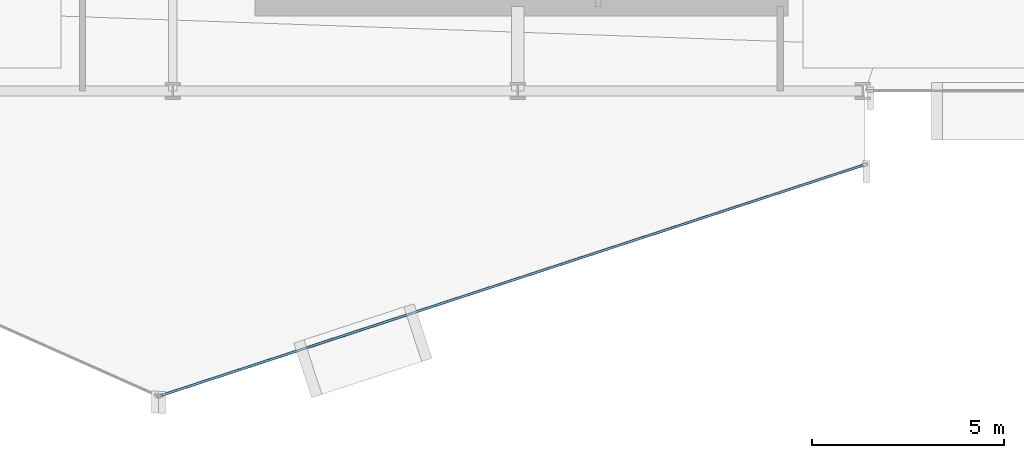
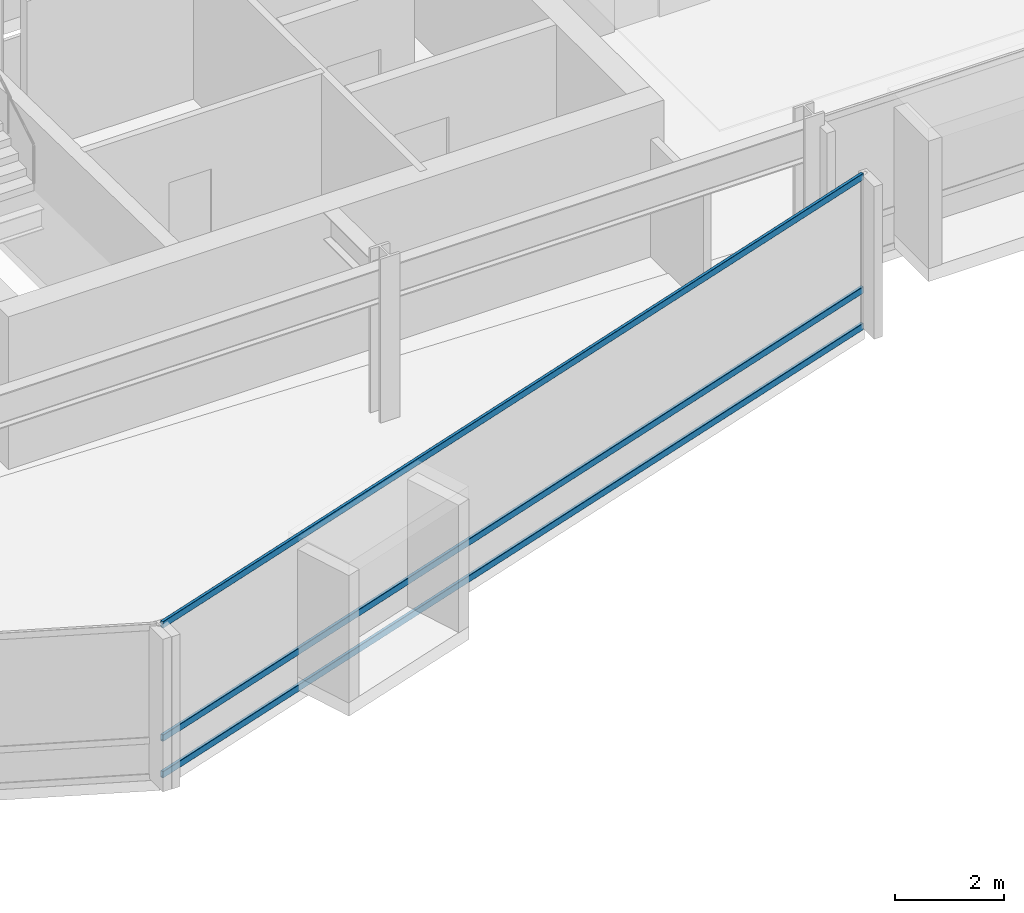
# One storey, part 9 of 28: 3 members, 1 element without a shape of its own.
"""IFC4 building model written with IfcOpenShell, lengths in metres."""

from ifc_helpers import new_model, si_unit, direction, frame, origin, origin_2d, place, context, subcontext, project, spatial, hollow_rectangle, extrude, material, layer, layer_set, material_profile, profile_set, type_object, element, aggregate, save


model = new_model("IFC4")

# Units and contexts
model_context = context("Model", 3, precision=1e-05, world=origin(), true_north=direction((0.0, 1.0)))
body_context = subcontext(model_context, "Body", "Model", "MODEL_VIEW")
ifc_project = project(units=[si_unit("LENGTHUNIT", "METRE"), si_unit("AREAUNIT", "SQUARE_METRE"), si_unit("VOLUMEUNIT", "CUBIC_METRE"), si_unit("PLANEANGLEUNIT", "RADIAN"), si_unit("MASSUNIT", "GRAM", prefix="KILO")], contexts=[model_context])

# Site, building, storey
site_placement = place(None, origin())
site = spatial("IfcSite", under=ifc_project, at=site_placement, CompositionType="ELEMENT")
building_placement = place(site_placement, origin())
building = spatial("IfcBuilding", under=site, at=building_placement, Name="Solvaryn Broadcast Tower", CompositionType="ELEMENT")
storey_placement = place(building_placement, frame((0.0, 0.0, 154.39990234375)))
storey = spatial("IfcBuildingStorey", under=building, at=storey_placement, Name="L38", CompositionType="ELEMENT", Elevation=154.39990234375)

# Curtain wall, members
ifc_material_1 = material(Name="Aluminium and Terracotta Unitised Curtain Wall", Category="masonry")
ifc_layer = layer(ifc_material_1, 0.199951171875)
ifc_layer_set = layer_set([ifc_layer], Name="CW-SYS2-LOWMID")
curtain_wall_type = type_object("IfcCurtainWallType", Name="CW-SYS2-LOWMID", PredefinedType="NOTDEFINED", material=ifc_layer_set)
curtain_wall_placement = place(storey_placement, origin())
curtain_wall = element("IfcCurtainWall", 1, at=curtain_wall_placement, inside=storey, type_object=curtain_wall_type, Name="L38 Curtain Wall DR4", PredefinedType="NOTDEFINED")
ifc_material_2 = material(Name="Anodised Aluminium 6063-T6", Category="aluminium")
ifc_material_profile = material_profile(ifc_material_2, hollow_rectangle(XDim=0.06494140625, YDim=0.14990234375, WallThickness=0.00390625, InnerFilletRadius=0.00390625, OuterFilletRadius=0.008056640625, at=origin_2d()))
ifc_profile_set = profile_set([ifc_material_profile], Name="Anodised Aluminium 6063-T6")
member_type = type_object("IfcMemberType", Name="CW-TRN-150", PredefinedType="USERDEFINED", material=ifc_profile_set)
member_1_placement = place(storey_placement, frame((26.693115234375, 1.052734375, 0.030029296875), z_axis=(0.950198373323, 0.31164571445, 0.0), x_axis=(-0.31164571445, 0.950198373323, 0.0)))
member_1 = element("IfcMember", 2, at=member_1_placement, type_object=member_type, Name="CWS2 transom 1.1", ObjectType="TRANSOM", PredefinedType="USERDEFINED", context=body_context, shape_type="SweptSolid", body=[
    extrude(hollow_rectangle(XDim=0.06494140625, YDim=0.14990234375, WallThickness=0.00390625, InnerFilletRadius=0.00390625, OuterFilletRadius=0.008056640625, at=origin_2d()), origin(), (0.0, 0.0, 1.0), 19.27685546875),
])
member_2_placement = place(storey_placement, frame((26.693115234375, 1.052734375, 0.85009765625), z_axis=(0.950198373323, 0.31164571445, 0.0), x_axis=(-0.31164571445, 0.950198373323, 0.0)))
member_2 = element("IfcMember", 3, at=member_2_placement, type_object=member_type, Name="CWS2 transom 1.2", ObjectType="TRANSOM", PredefinedType="USERDEFINED", context=body_context, shape_type="SweptSolid", body=[
    extrude(hollow_rectangle(XDim=0.06494140625, YDim=0.14990234375, WallThickness=0.00390625, InnerFilletRadius=0.00390625, OuterFilletRadius=0.008056640625, at=origin_2d()), origin(), (0.0, 0.0, 1.0), 19.27685546875),
])
member_3_placement = place(storey_placement, frame((26.693115234375, 1.052734375, 3.39013671875), z_axis=(0.950198373323, 0.31164571445, 0.0), x_axis=(-0.31164571445, 0.950198373323, 0.0)))
member_3 = element("IfcMember", 4, at=member_3_placement, type_object=member_type, Name="CWS2 transom 1.3", ObjectType="TRANSOM", PredefinedType="USERDEFINED", context=body_context, shape_type="SweptSolid", body=[
    extrude(hollow_rectangle(XDim=0.06494140625, YDim=0.14990234375, WallThickness=0.00390625, InnerFilletRadius=0.00390625, OuterFilletRadius=0.008056640625, at=origin_2d()), origin(), (0.0, 0.0, 1.0), 19.27685546875),
])
aggregate(curtain_wall, [member_1, member_2, member_3])

save(model, "model.ifc")
